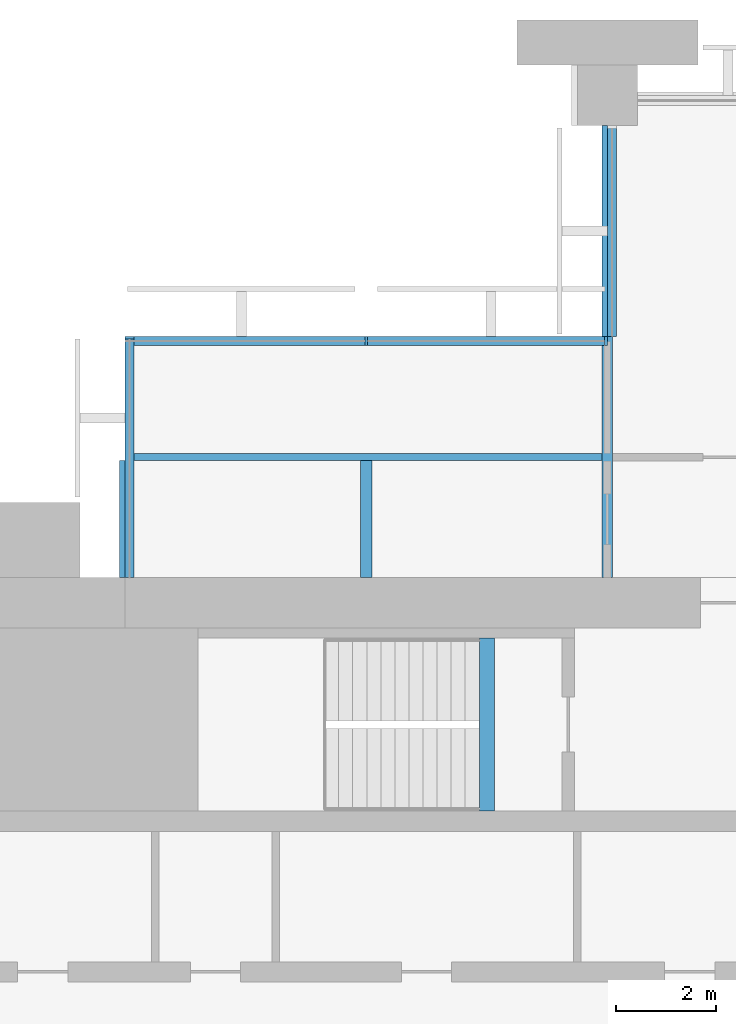
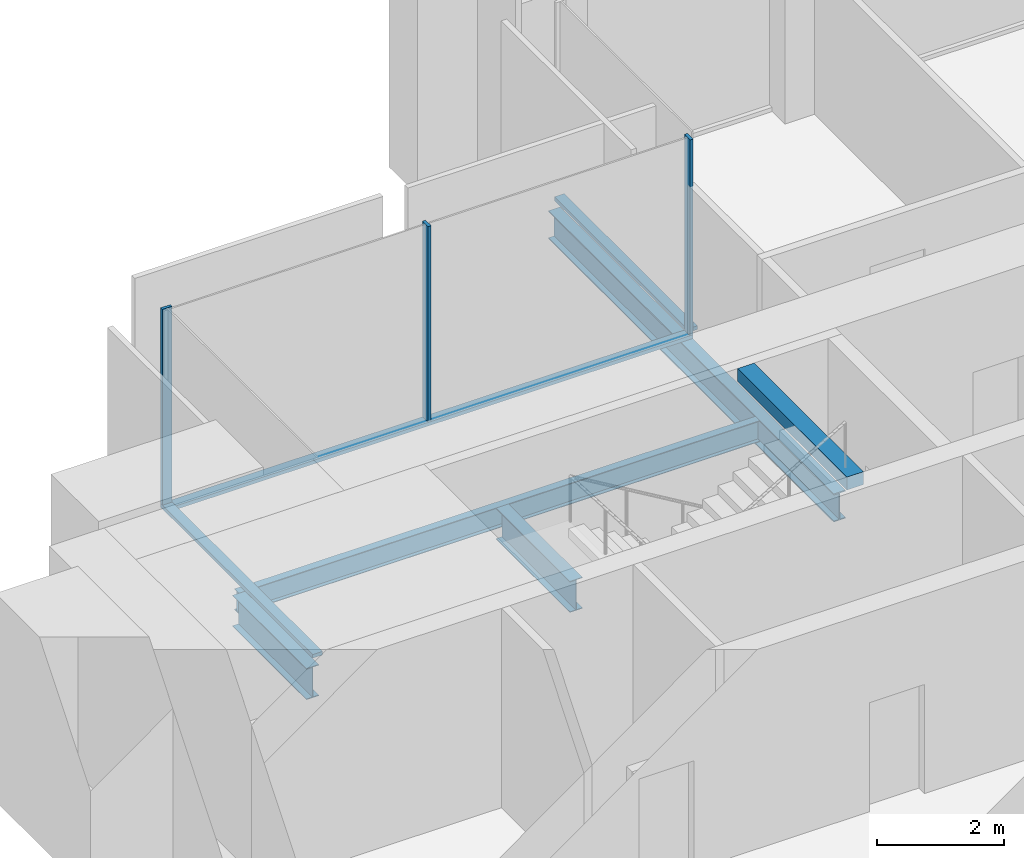
# One storey, part 5 of 14: 6 members, 5 beams, 3 elements without a shape of their own.
"""IFC4 building model written with IfcOpenShell, lengths in metres."""

import ifcopenshell
import ifcopenshell.guid

model = None  # the IFC model being written
_history = None  # IfcOwnerHistory: only IFC2X3 demands one
_inside = {}  # id of a spatial element -> (the spatial element, [elements in it])
_under = {}  # id of a project, library or spatial element -> (it, [spatial elements below it])
_declared = {}  # id of a project -> (the project, [libraries it declares])
_typed = {}  # id of a type object -> (the type object, [elements of that type])
_made_of = {}  # id of a material, layer set ... -> (it, [elements and type objects made of it])


def new_model(schema):
    """Start an empty IFC model of exactly this schema.

    Asked for "IFC4X3", IfcOpenShell would pick the latest addendum, in which some entities
    have other attributes; the version numbers below select the first issue.
    IFC2X3 requires an IfcOwnerHistory on every rooted entity: one is made here for all.
    """
    global model, _history
    if schema == "IFC4X3":
        model = ifcopenshell.file(schema_version=(4, 3, 0, 0))
    else:
        model = ifcopenshell.file(schema=schema)
    _inside.clear()
    _under.clear()
    _declared.clear()
    _typed.clear()
    _made_of.clear()
    _history = None
    if model.schema == "IFC2X3":
        org = make("IfcOrganization", Name="unknown")
        user = make(
            "IfcPersonAndOrganization",
            ThePerson=make("IfcPerson", FamilyName="unknown"),
            TheOrganization=org,
        )
        app = make(
            "IfcApplication",
            ApplicationDeveloper=org,
            Version="unknown",
            ApplicationFullName="unknown",
            ApplicationIdentifier="unknown",
        )
        _history = make(
            "IfcOwnerHistory",
            OwningUser=user,
            OwningApplication=app,
            ChangeAction="ADDED",
            CreationDate=0,
        )
    return model


def make(cls, **values):
    """One entity of the class cls with the attributes given. An attribute that is None is left unset."""
    return model.create_entity(
        cls, **{name: value for name, value in values.items() if value is not None}
    )


def rooted(cls, **values):
    """An entity with a GlobalId (a new one), such as an element, a storey or a relation."""
    return make(cls, GlobalId=ifcopenshell.guid.new(), OwnerHistory=_history, **values)


def si_unit(unit_type, name, prefix=None):
    """IfcSIUnit, for example si_unit("LENGTHUNIT", "METRE", prefix="MILLI")."""
    return make("IfcSIUnit", UnitType=unit_type, Prefix=prefix, Name=name)


def assignment(units):
    """IfcUnitAssignment: the units of a project."""
    return None if units is None else make("IfcUnitAssignment", Units=units)


def point(xyz):
    """IfcCartesianPoint."""
    return None if xyz is None else make("IfcCartesianPoint", Coordinates=xyz)


def direction(xyz):
    """IfcDirection."""
    return None if xyz is None else make("IfcDirection", DirectionRatios=xyz)


def frame(location, z_axis=None, x_axis=None):
    """IfcAxis2Placement3D, a coordinate frame: its origin and axes. An axis left out is left unset."""
    return make(
        "IfcAxis2Placement3D",
        Location=point(location),
        Axis=direction(z_axis),
        RefDirection=direction(x_axis),
    )


def frame_2d(location, x_axis=None):
    """IfcAxis2Placement2D, a coordinate frame in the plane: its origin and x axis."""
    return make(
        "IfcAxis2Placement2D", Location=point(location), RefDirection=direction(x_axis)
    )


def origin():
    """The frame at (0, 0, 0) with its axes left unset."""
    return frame((0.0, 0.0, 0.0))


def origin_2d():
    """The frame at (0, 0) in the plane with its x axis left unset."""
    return frame_2d((0.0, 0.0))


def place(relative_to, where):
    """IfcLocalPlacement: puts the frame where relative to a parent placement (None: the world)."""
    return make(
        "IfcLocalPlacement", PlacementRelTo=relative_to, RelativePlacement=where
    )


def context(
    kind, dimensions, precision=None, world=None, true_north=None, identifier=None
):
    """IfcGeometricRepresentationContext, for example the 3D "Model" context."""
    return make(
        "IfcGeometricRepresentationContext",
        ContextIdentifier=identifier,
        ContextType=kind,
        CoordinateSpaceDimension=dimensions,
        Precision=precision,
        WorldCoordinateSystem=world,
        TrueNorth=true_north,
    )


def subcontext(parent, identifier, kind, view, scale=None):
    """IfcGeometricRepresentationSubContext, for example "Body" below "Model"."""
    return make(
        "IfcGeometricRepresentationSubContext",
        ContextIdentifier=identifier,
        ContextType=kind,
        ParentContext=parent,
        TargetScale=scale,
        TargetView=view,
    )


def project(units=None, contexts=None):
    """IfcProject with its units and contexts."""
    return rooted(
        "IfcProject",
        Name="project",
        RepresentationContexts=contexts,
        UnitsInContext=assignment(units),
    )


def spatial(cls, under=None, at=None, **own):
    """A site, building, storey or space (cls), placed at a placement, below another one or the project."""
    s = rooted(cls, ObjectPlacement=at, **own)
    if under is not None:
        _under.setdefault(under.id(), (under, []))[1].append(s)
    return s


def profile(cls, at=None, kind="AREA", **sizes):
    """A parametric profile (cls). Its sizes go by their IFC names, for example OverallWidth=200.0."""
    return make(cls, ProfileType=kind, Position=at, **sizes)


def rectangle(**sizes):
    """IfcRectangleProfileDef."""
    return profile("IfcRectangleProfileDef", **sizes)


def i_section(**sizes):
    """IfcIShapeProfileDef."""
    return profile("IfcIShapeProfileDef", **sizes)


def extrude(swept, where, along, depth):
    """IfcExtrudedAreaSolid: the profile swept, set in the frame where, extruded along a direction by depth."""
    return make(
        "IfcExtrudedAreaSolid",
        SweptArea=swept,
        Position=where,
        ExtrudedDirection=direction(along),
        Depth=depth,
    )


def shape(context_of_items, identifier, shape_type, items):
    """IfcShapeRepresentation: the items that make up one representation, for example the "Body"."""
    return make(
        "IfcShapeRepresentation",
        ContextOfItems=context_of_items,
        RepresentationIdentifier=identifier,
        RepresentationType=shape_type,
        Items=items,
    )


def material(Name=None, Category=None):
    """IfcMaterial."""
    return make("IfcMaterial", Name=Name, Category=Category)


def material_profile(
    of_material, cross_section, Name=None, Category=None, Priority=None
):
    """IfcMaterialProfile: a cross section and its material."""
    return make(
        "IfcMaterialProfile",
        Name=Name,
        Material=of_material,
        Profile=cross_section,
        Priority=Priority,
        Category=Category,
    )


def profile_set(profiles, Name=None, composite=None):
    """IfcMaterialProfileSet."""
    return make(
        "IfcMaterialProfileSet",
        Name=Name,
        MaterialProfiles=profiles,
        CompositeProfile=composite,
    )


def made_of(thing, what):
    """Note that an element or type object is made of a material, layer set ...; save() writes the relation."""
    if what is not None:
        _made_of.setdefault(what.id(), (what, []))[1].append(thing)
    return thing


def type_object(cls, material=None, **own):
    """A type object (cls), such as IfcWallType, which elements share."""
    return made_of(rooted(cls, **own), material)


def element(
    cls,
    number,
    at=None,
    inside=None,
    cuts=None,
    type_object=None,
    material=None,
    context=None,
    identifier="Body",
    shape_type=None,
    held_by="IfcProductDefinitionShape",
    body=None,
    shapes=None,
    **own,
):
    """One element of the class cls, such as IfcWall. Its Tag is "e" and its number.

    at: its placement. inside: the storey or other place that contains it. cuts: it is an
    opening in that element (IfcRelVoidsElement). A single representation is given by context,
    identifier, shape_type and body (its items); several are given by shapes. held_by: the class
    of the entity that holds the representations. save() writes the other relations.
    """
    e = rooted(cls, Tag="e%d" % number, ObjectPlacement=at, **own)
    if body is not None:
        shapes = [shape(context, identifier, shape_type, body)]
    if shapes is not None:
        e.Representation = make(held_by, Representations=shapes)
    if inside is not None:
        _inside.setdefault(inside.id(), (inside, []))[1].append(e)
    if cuts is not None:
        rooted(
            "IfcRelVoidsElement", RelatingBuildingElement=cuts, RelatedOpeningElement=e
        )
    if type_object is not None:
        _typed.setdefault(type_object.id(), (type_object, []))[1].append(e)
    return made_of(e, material)


def aggregate(whole, parts):
    """IfcRelAggregates: a whole, such as a stair, and the parts it consists of."""
    return rooted("IfcRelAggregates", RelatingObject=whole, RelatedObjects=parts)


def save(model, path):
    """Write the relations noted so far, then the file.

    IfcRelAggregates (storeys below a building ...), IfcRelContainedInSpatialStructure (elements
    in a storey), IfcRelDefinesByType, IfcRelAssociatesMaterial and IfcRelDeclares: one each for
    every whole, place, type object, material and project.
    """
    for whole, parts in _under.values():
        aggregate(whole, parts)
    for where, things in _inside.values():
        rooted(
            "IfcRelContainedInSpatialStructure",
            RelatedElements=things,
            RelatingStructure=where,
        )
    for kind, things in _typed.values():
        rooted("IfcRelDefinesByType", RelatedObjects=things, RelatingType=kind)
    for what, things in _made_of.values():
        rooted("IfcRelAssociatesMaterial", RelatedObjects=things, RelatingMaterial=what)
    for by, libraries in _declared.values():
        rooted("IfcRelDeclares", RelatingContext=by, RelatedDefinitions=libraries)
    model.write(path)


model = new_model("IFC4")

# Units and contexts
model_context = context("Model", 3, precision=1e-05, world=origin(), true_north=direction((0.0, 1.0)))
body_context = subcontext(model_context, "Body", "Model", "MODEL_VIEW")
ifc_project = project(units=[si_unit("LENGTHUNIT", "METRE"), si_unit("AREAUNIT", "SQUARE_METRE"), si_unit("VOLUMEUNIT", "CUBIC_METRE"), si_unit("PLANEANGLEUNIT", "RADIAN"), si_unit("MASSUNIT", "GRAM", prefix="KILO")], contexts=[model_context])

# Site, building, storey
site_placement = place(None, origin())
site = spatial("IfcSite", under=ifc_project, at=site_placement, CompositionType="ELEMENT")
building_placement = place(site_placement, origin())
building = spatial("IfcBuilding", under=site, at=building_placement, Name="Baori Bourse Tower", CompositionType="ELEMENT")
storey_placement = place(building_placement, frame((0.0, 0.0, 144.10009765625)))
storey = spatial("IfcBuildingStorey", under=building, at=storey_placement, Name="L31", CompositionType="ELEMENT", Elevation=144.10009765625)

# Curtain wall, members
ifc_material_1 = material(Name="Pale anodised aluminium", Category="aluminium")
curtain_wall_type = type_object("IfcCurtainWallType", Name="CW2 Curtain wall", PredefinedType="NOTDEFINED", material=ifc_material_1)
curtain_wall_1_placement = place(storey_placement, origin())
curtain_wall_1 = element("IfcCurtainWall", 1, at=curtain_wall_1_placement, inside=storey, type_object=curtain_wall_type, Name="Curtain wall CW2 L31 6", PredefinedType="NOTDEFINED")
ifc_material_2 = material(Name="Pale anodised aluminium", Category="aluminium")
ifc_material_profile_1 = material_profile(ifc_material_2, rectangle(XDim=0.179931640625, YDim=0.054931640625, at=origin_2d()), Name="Mullion 55x180")
ifc_profile_set_1 = profile_set([ifc_material_profile_1], Name="Pale anodised aluminium")
member_type_1 = type_object("IfcMemberType", Name="CW2 Curtain wall mullion", PredefinedType="MULLION", material=ifc_profile_set_1)
member_1_placement = place(storey_placement, frame((14.37255859375, 43.110107421875, 0.06982421875), z_axis=(0.0, 0.0, 1.0), x_axis=(0.0, -1.0, 0.0)))
member_1 = element("IfcMember", 2, at=member_1_placement, type_object=member_type_1, Name="Curtain wall CW2 mullion", PredefinedType="MULLION", context=body_context, shape_type="SweptSolid", body=[
    extrude(rectangle(XDim=0.179931640625, YDim=0.054931640625, at=origin_2d()), origin(), (0.0, 0.0, 1.0), 3.77001953125),
])
member_2_placement = place(storey_placement, frame((9.60009765625, 43.110107421875, 0.06982421875), z_axis=(0.0, 0.0, 1.0), x_axis=(0.0, -1.0, 0.0)))
member_2 = element("IfcMember", 3, at=member_2_placement, type_object=member_type_1, Name="Curtain wall CW2 mullion", PredefinedType="MULLION", context=body_context, shape_type="SweptSolid", body=[
    extrude(rectangle(XDim=0.179931640625, YDim=0.054931640625, at=origin_2d()), origin(), (0.0, 0.0, 1.0), 3.77001953125),
])

# Curtain wall, member
curtain_wall_2_placement = place(storey_placement, origin())
curtain_wall_2 = element("IfcCurtainWall", 4, at=curtain_wall_2_placement, inside=storey, type_object=curtain_wall_type, Name="Curtain wall CW2 L31 7", PredefinedType="NOTDEFINED")
member_3_placement = place(storey_placement, frame((4.889892578125, 43.172607421875, 0.06982421875), z_axis=(0.0, 0.0, 1.0), x_axis=(1.0, 0.0, 0.0)))
member_3 = element("IfcMember", 5, at=member_3_placement, type_object=member_type_1, Name="Curtain wall CW2 mullion", PredefinedType="MULLION", context=body_context, shape_type="SweptSolid", body=[
    extrude(rectangle(XDim=0.179931640625, YDim=0.054931640625, at=origin_2d()), origin(), (0.0, 0.0, 1.0), 3.77001953125),
])

curtain_wall_3_placement = place(storey_placement, origin())
curtain_wall_3 = element("IfcCurtainWall", 6, at=curtain_wall_3_placement, inside=storey, type_object=curtain_wall_type, Name="Curtain wall CW2 L31 5", PredefinedType="NOTDEFINED")
ifc_material_3 = material(Name="Pale anodised aluminium", Category="aluminium")
ifc_material_profile_2 = material_profile(ifc_material_3, rectangle(XDim=0.179931640625, YDim=0.070068359375, at=origin_2d()), Name="Transom 70x180")
ifc_profile_set_2 = profile_set([ifc_material_profile_2], Name="Pale anodised aluminium")
member_type_2 = type_object("IfcMemberType", Name="CW2 Curtain wall transom", PredefinedType="USERDEFINED", material=ifc_profile_set_2)
member_4_placement = place(storey_placement, frame((14.489990234375, 47.39990234375, 0.034912109375), z_axis=(0.0, -1.0, 0.0), x_axis=(1.0, 0.0, 0.0)))
member_4 = element("IfcMember", 7, at=member_4_placement, type_object=member_type_2, Name="Curtain wall CW2 sill rail", ObjectType="TRANSOM", PredefinedType="USERDEFINED", context=body_context, shape_type="SweptSolid", body=[
    extrude(rectangle(XDim=0.179931640625, YDim=0.070068359375, at=origin_2d()), origin(), (0.0, 0.0, 1.0), 4.199951171875),
])
aggregate(curtain_wall_3, [member_4])

# Member
member_5_placement = place(storey_placement, frame((14.39990234375, 43.110107421875, 0.034912109375), z_axis=(-1.0, 0.0, 0.0), x_axis=(0.0, -1.0, 0.0)))
member_5 = element("IfcMember", 8, at=member_5_placement, type_object=member_type_2, Name="Curtain wall CW2 sill rail", ObjectType="TRANSOM", PredefinedType="USERDEFINED", context=body_context, shape_type="SweptSolid", body=[
    extrude(rectangle(XDim=0.179931640625, YDim=0.070068359375, at=origin_2d()), origin(), (0.0, 0.0, 1.0), 9.599853515625),
])

aggregate(curtain_wall_1, [member_5, member_1, member_2])

member_6_placement = place(storey_placement, frame((4.889892578125, 43.199951171875, 0.034912109375), z_axis=(0.0, -1.0, 0.0), x_axis=(1.0, 0.0, 0.0)))
member_6 = element("IfcMember", 9, at=member_6_placement, type_object=member_type_2, Name="Curtain wall CW2 sill rail", ObjectType="TRANSOM", PredefinedType="USERDEFINED", context=body_context, shape_type="SweptSolid", body=[
    extrude(rectangle(XDim=0.179931640625, YDim=0.070068359375, at=origin_2d()), origin(), (0.0, 0.0, 1.0), 4.800048828125),
])

aggregate(curtain_wall_2, [member_6, member_3])

# Beams
ifc_material_4 = material(Name="Steel A992 Gr 50", Category="steel")
ifc_material_profile_3 = material_profile(ifc_material_4, i_section(OverallWidth=0.227783203125, OverallDepth=0.60205078125, WebThickness=0.010498046875, FlangeThickness=0.014892578125, at=origin_2d()), Name="W24x68")
ifc_profile_set_3 = profile_set([ifc_material_profile_3], Name="Steel A992 Gr 50")
beam_type_1 = type_object("IfcBeamType", Name="Core bracket W24x68", PredefinedType="BEAM", material=ifc_profile_set_3)
for number, where, z_axis, x_axis, name in (
    (10, (4.800048828125, 38.39990234375, -0.461181640625), (0.0, 1.0, 0.0), (-1.0, 0.0, 0.0), "Core bracket L31"),
    (11, (9.60009765625, 38.39990234375, -0.461181640625), (0.0, 1.0, 0.0), (-1.0, 0.0, 0.0), "Core bracket L31"),
):
    element("IfcBeam", number, at=place(storey_placement, frame(where, z_axis=z_axis, x_axis=x_axis)), inside=storey, type_object=beam_type_1, Name=name, PredefinedType="BEAM", context=body_context, shape_type="SweptSolid", body=[
        extrude(i_section(OverallWidth=0.227783203125, OverallDepth=0.60205078125, WebThickness=0.010498046875, FlangeThickness=0.014892578125, at=origin_2d()), origin(), (0.0, 0.0, 1.0), 2.329833984375),
    ])
ifc_material_5 = material(Name="Steel A992 Gr 50", Category="steel")
ifc_material_profile_4 = material_profile(ifc_material_5, i_section(OverallWidth=0.21240234375, OverallDepth=0.54345703125, WebThickness=0.01318359375, FlangeThickness=0.021240234375, at=origin_2d()), Name="W21x83")
ifc_profile_set_4 = profile_set([ifc_material_profile_4], Name="Steel A992 Gr 50")
beam_type_2 = type_object("IfcBeamType", Name="Floor beam W21x83", PredefinedType="BEAM", material=ifc_profile_set_4)
beam_1_placement = place(storey_placement, frame((14.39990234375, 38.39990234375, -0.431884765625), z_axis=(0.0, 1.0, 0.0), x_axis=(-1.0, 0.0, 0.0)))
element("IfcBeam", 12, at=beam_1_placement, inside=storey, type_object=beam_type_2, Name="Floor beam L31", PredefinedType="BEAM", context=body_context, shape_type="SweptSolid", body=[
    extrude(i_section(OverallWidth=0.21240234375, OverallDepth=0.54345703125, WebThickness=0.01318359375, FlangeThickness=0.021240234375, at=origin_2d()), origin(), (0.0, 0.0, 1.0), 9.0),
])
ifc_material_6 = material(Name="Concrete f'c 50 MPa", Category="concrete")
ifc_material_profile_5 = material_profile(ifc_material_6, rectangle(XDim=0.300048828125, YDim=0.25, at=origin_2d()), Name="RC 300x250")
ifc_profile_set_5 = profile_set([ifc_material_profile_5], Name="Concrete f'c 50 MPa")
beam_type_3 = type_object("IfcBeamType", Name="Stair nib beam RC 300x250", PredefinedType="BEAM", material=ifc_profile_set_5)
beam_2_placement = place(storey_placement, frame((12.0, 33.75, 3.71484375), z_axis=(0.0, 1.0, 0.0), x_axis=(-1.0, 0.0, 0.0)))
element("IfcBeam", 13, at=beam_2_placement, inside=storey, type_object=beam_type_3, Name="Stair WB nib beam L32", PredefinedType="BEAM", context=body_context, shape_type="SweptSolid", body=[
    extrude(rectangle(XDim=0.300048828125, YDim=0.25, at=origin_2d()), origin(), (0.0, 0.0, 1.0), 3.449951171875),
])
ifc_material_7 = material(Name="Steel A992 Gr 50", Category="steel")
ifc_material_profile_6 = material_profile(ifc_material_7, i_section(OverallWidth=0.140380859375, OverallDepth=0.40380859375, WebThickness=0.007080078125, FlangeThickness=0.01123046875, at=origin_2d()), Name="W16x31")
ifc_profile_set_6 = profile_set([ifc_material_profile_6], Name="Steel A992 Gr 50")
beam_type_4 = type_object("IfcBeamType", Name="Trimmer beam W16x31", PredefinedType="BEAM", material=ifc_profile_set_6)
beam_3_placement = place(storey_placement, frame((4.800048828125, 40.800048828125, -0.362060546875), z_axis=(1.0, 0.0, 0.0), x_axis=(0.0, 1.0, 0.0)))
element("IfcBeam", 14, at=beam_3_placement, inside=storey, type_object=beam_type_4, Name="Trimmer beam L31", PredefinedType="BEAM", context=body_context, shape_type="SweptSolid", body=[
    extrude(i_section(OverallWidth=0.140380859375, OverallDepth=0.40380859375, WebThickness=0.007080078125, FlangeThickness=0.01123046875, at=origin_2d()), origin(), (0.0, 0.0, 1.0), 9.493896484375),
])

save(model, "model.ifc")
